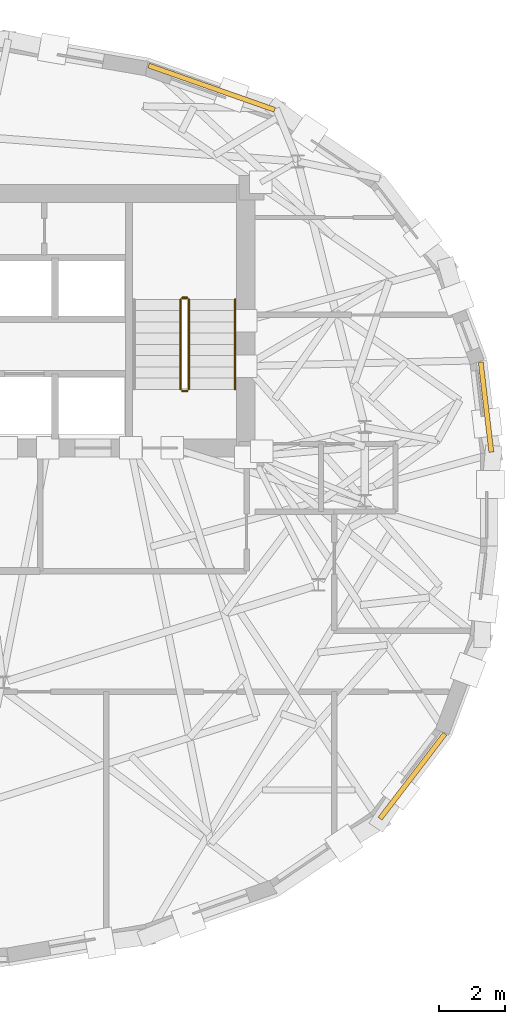
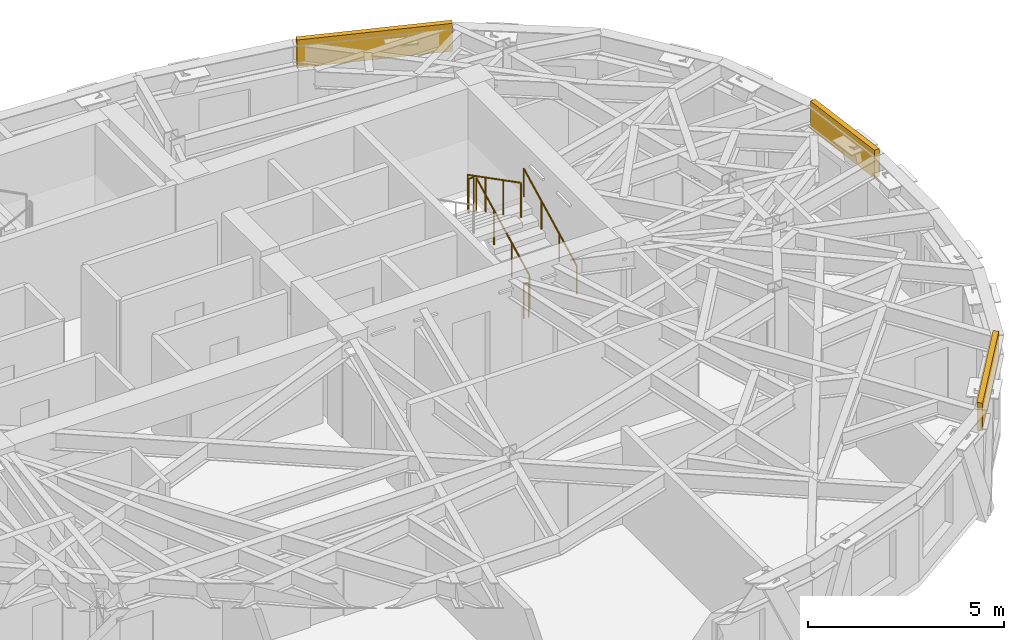
# One storey, part 12 of 12: 5 railings, 3 coverings.
"""IFC4 building model written with IfcOpenShell, lengths in metres."""

from ifc_helpers import new_model, si_unit, direction, frame, origin, origin_2d, place, context, subcontext, project, spatial, rectangle, circle, extrude, material, layer, layer_set, type_object, element, save


model = new_model("IFC4")

# Units and contexts
model_context = context("Model", 3, precision=1e-05, world=origin(), true_north=direction((0.0, 1.0)))
body_context = subcontext(model_context, "Body", "Model", "MODEL_VIEW")
ifc_project = project(units=[si_unit("LENGTHUNIT", "METRE"), si_unit("AREAUNIT", "SQUARE_METRE"), si_unit("VOLUMEUNIT", "CUBIC_METRE"), si_unit("PLANEANGLEUNIT", "RADIAN"), si_unit("MASSUNIT", "GRAM", prefix="KILO")], contexts=[model_context])

# Site, building, storey
site_placement = place(None, origin())
site = spatial("IfcSite", under=ifc_project, at=site_placement, CompositionType="ELEMENT")
building_placement = place(site_placement, origin())
building = spatial("IfcBuilding", under=site, at=building_placement, Name="Keldmark Tower", CompositionType="ELEMENT")
storey_placement = place(building_placement, frame((0.0, 0.0, 254.10009765625)))
storey = spatial("IfcBuildingStorey", under=building, at=storey_placement, Name="L72", CompositionType="ELEMENT", Elevation=254.10009765625)

# Coverings
ifc_material_1 = material(Name="Honed Kasota Buff Dolomitic Limestone", Category="masonry")
ifc_layer = layer(ifc_material_1, 0.074951171875)
ifc_layer_set = layer_set([ifc_layer], Name="Honed Kasota Buff Dolomitic Limestone")
covering_type = type_object("IfcCoveringType", Name="Kasota Buff Limestone Spandrel Cladding Band", PredefinedType="CLADDING", material=ifc_layer_set)
covering_1_placement = place(storey_placement, frame((20.695068359375, 2.8095703125, 2.259765625), z_axis=(0.0, 0.0, 1.0), x_axis=(-0.1168440763, 0.993150271527, 0.0)))
element("IfcCovering", 1, at=covering_1_placement, inside=storey, type_object=covering_type, Name="L72 Kasota Limestone Spandrel Band 01", PredefinedType="CLADDING", context=body_context, shape_type="SweptSolid", body=[
    extrude(rectangle(XDim=2.74365234375, YDim=0.14990234375, at=origin_2d()), origin(), (0.0, 0.0, 1.0), 0.8701171875),
])
covering_2_placement = place(storey_placement, frame((12.39111328125, 12.476806640625, 2.259765625), z_axis=(0.0, 0.0, 1.0), x_axis=(-0.943465891334, 0.331469624383, 0.0)))
element("IfcCovering", 2, at=covering_2_placement, inside=storey, type_object=covering_type, Name="L72 Kasota Limestone Spandrel Band 05", PredefinedType="CLADDING", context=body_context, shape_type="SweptSolid", body=[
    extrude(rectangle(XDim=4.04541015625, YDim=0.14990234375, at=origin_2d()), origin(), (0.0, 0.0, 1.0), 0.8701171875),
])
covering_3_placement = place(storey_placement, frame((18.468017578125, -8.35888671875, 2.259765625), z_axis=(0.0, 0.0, 1.0), x_axis=(0.607237178966, 0.794520615517, 0.0)))
element("IfcCovering", 3, at=covering_3_placement, inside=storey, type_object=covering_type, Name="L72 Kasota Limestone Spandrel Band 29", PredefinedType="CLADDING", context=body_context, shape_type="SweptSolid", body=[
    extrude(rectangle(XDim=3.233642578125, YDim=0.14990234375, at=origin_2d()), origin(), (0.0, 0.0, 1.0), 0.8701171875),
])

# Railings
ifc_material_2 = material(Name="Painted Steel ASTM A500 Grade B", Category="steel")
railing_type_1 = type_object("IfcRailingType", Name="Painted Steel Stair Well Guard 1100 mm", PredefinedType="GUARDRAIL", material=ifc_material_2)
railing_1_placement = place(storey_placement, frame((11.699951171875, 3.35009765625, 0.1748046875)))
element("IfcRailing", 4, at=railing_1_placement, inside=storey, type_object=railing_type_1, Name="L72 ST2 stair guard 1", PredefinedType="GUARDRAIL", context=body_context, shape_type="SweptSolid", body=[
    extrude(circle(Radius=0.02392578125, at=origin_2d()), frame((0.0, 0.0, 1.076171875), z_axis=(0.0, 0.889114319608, 0.457685182924), x_axis=(-1.0, 0.0, 0.0)), (0.0, 0.0, 1.0), 3.05908203125),
    extrude(circle(Radius=0.02099609375, at=origin_2d()), origin(), (0.0, 0.0, 1.0), 1.052001953125),
    extrude(circle(Radius=0.02099609375, at=origin_2d()), frame((0.0, 0.90673828125, 0.466796875)), (0.0, 0.0, 1.0), 1.052001953125),
    extrude(circle(Radius=0.02099609375, at=origin_2d()), frame((0.0, 1.813232421875, 0.933349609375)), (0.0, 0.0, 1.0), 1.052001953125),
    extrude(circle(Radius=0.02099609375, at=origin_2d()), frame((0.0, 2.719970703125, 1.400146484375)), (0.0, 0.0, 1.0), 1.052001953125),
])
railing_2_placement = place(storey_placement, frame((11.64990234375, 6.1201171875, 1.574951171875)))
element("IfcRailing", 5, at=railing_2_placement, inside=storey, type_object=railing_type_1, Name="L72 ST2 stair guard 2", PredefinedType="GUARDRAIL", context=body_context, shape_type="SweptSolid", body=[
    extrude(circle(Radius=0.02392578125, at=origin_2d()), frame((0.0, 0.0, 1.076171875), z_axis=(-1.0, 0.0, 0.0), x_axis=(0.0, -1.0, 0.0)), (0.0, 0.0, 1.0), 0.14990234375),
    extrude(circle(Radius=0.02099609375, at=origin_2d()), origin(), (0.0, 0.0, 1.0), 1.052001953125),
    extrude(circle(Radius=0.02099609375, at=origin_2d()), frame((-0.14990234375, 0.0, 0.0)), (0.0, 0.0, 1.0), 1.052001953125),
])
railing_3_placement = place(storey_placement, frame((11.449951171875, 6.070068359375, 1.75)))
element("IfcRailing", 6, at=railing_3_placement, inside=storey, type_object=railing_type_1, Name="L72 ST2 stair guard 3", PredefinedType="GUARDRAIL", context=body_context, shape_type="SweptSolid", body=[
    extrude(circle(Radius=0.02392578125, at=origin_2d()), frame((0.0, 0.0, 1.076171875), z_axis=(0.0, -0.889146794209, 0.457622091194), x_axis=(1.0, 0.0, 0.0)), (0.0, 0.0, 1.0), 3.05908203125),
    extrude(circle(Radius=0.02099609375, at=origin_2d()), origin(), (0.0, 0.0, 1.0), 1.052001953125),
    extrude(circle(Radius=0.02099609375, at=origin_2d()), frame((0.0, -0.90673828125, 0.466552734375)), (0.0, 0.0, 1.0), 1.052001953125),
    extrude(circle(Radius=0.02099609375, at=origin_2d()), frame((0.0, -1.813232421875, 0.933349609375)), (0.0, 0.0, 1.0), 1.052001953125),
    extrude(circle(Radius=0.02099609375, at=origin_2d()), frame((0.0, -2.719970703125, 1.39990234375)), (0.0, 0.0, 1.0), 1.052001953125),
])
railing_4_placement = place(storey_placement, frame((11.64990234375, 3.300048828125, 0.0)))
element("IfcRailing", 7, at=railing_4_placement, inside=storey, type_object=railing_type_1, Name="L72 ST2 stair guard 4", PredefinedType="GUARDRAIL", context=body_context, shape_type="SweptSolid", body=[
    extrude(circle(Radius=0.02392578125, at=origin_2d()), frame((0.0, 0.0, 1.076171875), z_axis=(-1.0, 0.0, 0.0), x_axis=(0.0, -1.0, 0.0)), (0.0, 0.0, 1.0), 0.14990234375),
    extrude(circle(Radius=0.02099609375, at=origin_2d()), origin(), (0.0, 0.0, 1.0), 1.052001953125),
    extrude(circle(Radius=0.02099609375, at=origin_2d()), frame((-0.14990234375, 0.0, 0.0)), (0.0, 0.0, 1.0), 1.052001953125),
])
ifc_material_3 = material(Name="Stainless Steel AISI 316L", Category="steel")
railing_type_2 = type_object("IfcRailingType", Name="Stainless Steel Stair Handrail 900 mm", PredefinedType="HANDRAIL", material=ifc_material_3)
railing_5_placement = place(storey_placement, frame((13.10009765625, 3.35009765625, 0.1748046875)))
element("IfcRailing", 8, at=railing_5_placement, inside=storey, type_object=railing_type_2, Name="L72 ST2 stair handrail 1", PredefinedType="HANDRAIL", context=body_context, shape_type="SweptSolid", body=[
    extrude(circle(Radius=0.02392578125, at=origin_2d()), frame((0.0, 0.0, 0.8759765625), z_axis=(0.0, 0.889114319608, 0.457685182924), x_axis=(-1.0, 0.0, 0.0)), (0.0, 0.0, 1.0), 3.05908203125),
    extrude(circle(Radius=0.02099609375, at=origin_2d()), origin(), (0.0, 0.0, 1.0), 0.851806640625),
    extrude(circle(Radius=0.02099609375, at=origin_2d()), frame((0.0, 0.90673828125, 0.466796875)), (0.0, 0.0, 1.0), 0.851806640625),
    extrude(circle(Radius=0.02099609375, at=origin_2d()), frame((0.0, 1.813232421875, 0.933349609375)), (0.0, 0.0, 1.0), 0.851806640625),
    extrude(circle(Radius=0.02099609375, at=origin_2d()), frame((0.0, 2.719970703125, 1.400146484375)), (0.0, 0.0, 1.0), 0.851806640625),
])

save(model, "model.ifc")
